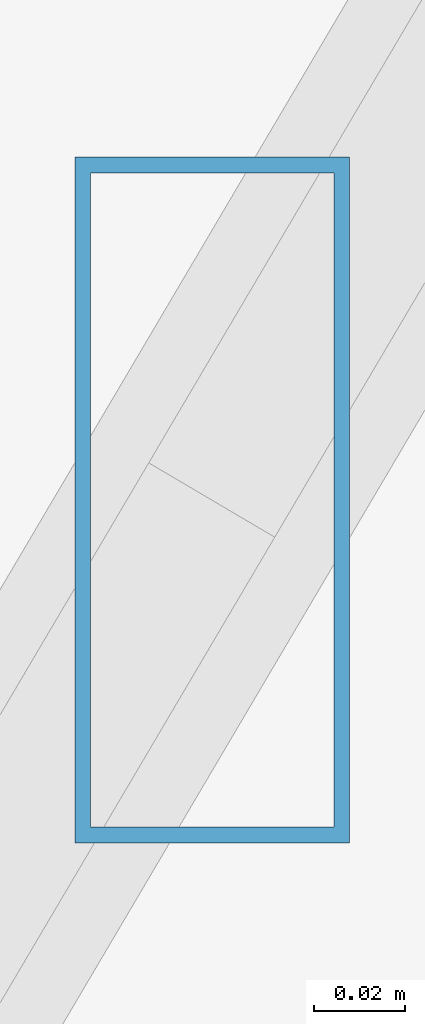
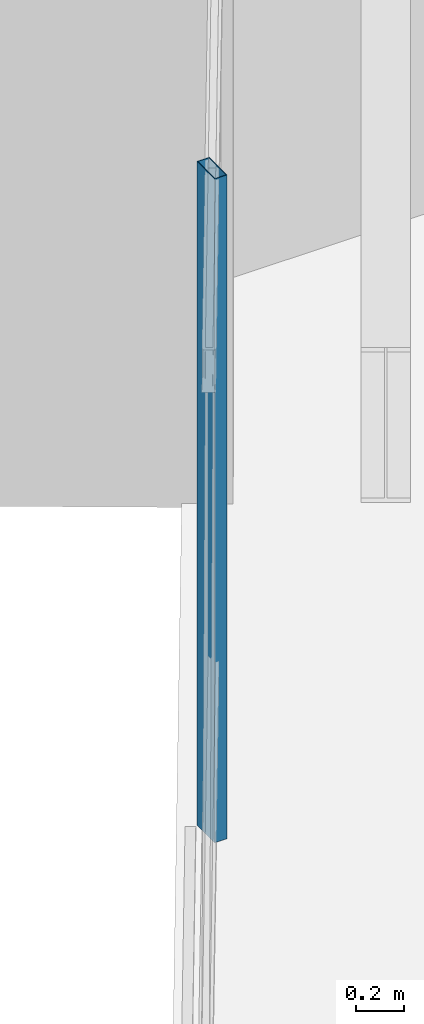
# One storey, part 28 of 41: 1 member, 1 element without a shape of its own.
"""IFC4 building model written with IfcOpenShell, lengths in metres."""

from ifc_helpers import new_model, si_unit, direction, frame, origin, origin_2d, place, context, subcontext, project, spatial, hollow_rectangle, extrude, source, transform, mapped, material, material_profile, profile_set, type_object, type_shapes, element, aggregate, save


model = new_model("IFC4")

# Units and contexts
model_context = context("Model", 3, precision=1e-05, world=origin(), true_north=direction((0.0, 1.0)))
body_context = subcontext(model_context, "Body", "Model", "MODEL_VIEW")
ifc_project = project(units=[si_unit("LENGTHUNIT", "METRE"), si_unit("AREAUNIT", "SQUARE_METRE"), si_unit("VOLUMEUNIT", "CUBIC_METRE"), si_unit("PLANEANGLEUNIT", "RADIAN"), si_unit("MASSUNIT", "GRAM", prefix="KILO")], contexts=[model_context])

# Site, building, storey
site_placement = place(None, origin())
site = spatial("IfcSite", under=ifc_project, at=site_placement, CompositionType="ELEMENT")
building_placement = place(site_placement, origin())
building = spatial("IfcBuilding", under=site, at=building_placement, Name="Caelisora Broadcast Tower", CompositionType="ELEMENT")
storey_placement = place(building_placement, frame((0.0, 0.0, 169.449951171875)))
storey = spatial("IfcBuildingStorey", under=building, at=storey_placement, Name="L44", CompositionType="ELEMENT", Elevation=169.449951171875)

# Curtain wall, member
ifc_material_1 = material(Name="Unitised Aluminium and Low-E Glass Curtain Wall", Category="glass")
curtain_wall_type = type_object("IfcCurtainWallType", Name="CW-Z3", PredefinedType="NOTDEFINED", material=ifc_material_1)
curtain_wall_placement = place(storey_placement, origin())
curtain_wall = element("IfcCurtainWall", 1, at=curtain_wall_placement, inside=storey, type_object=curtain_wall_type, Name="L44 curtain wall CW-Z3", PredefinedType="NOTDEFINED")
ifc_material_2 = material(Name="Aluminium 6063-T6 Anodised Terracotta Bronze", Category="aluminium")
ifc_material_profile = material_profile(ifc_material_2, hollow_rectangle(XDim=0.06005859375, YDim=0.14990234375, WallThickness=0.00341796875, at=origin_2d()), Name="Aluminium 6063-T6 Anodised Terracotta Bronze")
ifc_profile_set = profile_set([ifc_material_profile], Name="Aluminium 6063-T6 Anodised Terracotta Bronze")
member_type = type_object("IfcMemberType", Name="CWM-03", PredefinedType="MULLION", material=ifc_profile_set)
shared_shape = source(origin(), body_context, "Body", "SweptSolid", [
    extrude(hollow_rectangle(XDim=0.06005859375, YDim=0.14990234375, WallThickness=0.00341796875, at=origin_2d()), origin(), (0.0, 0.0, 1.0), 3.400146484375),
])
type_shapes(member_type, [shared_shape])
member_placement = place(storey_placement, frame((28.926025390625, 42.377197265625, 0.0), z_axis=(0.0, 0.0, 1.0), x_axis=(1.0, 0.0, 0.0)))
member = element("IfcMember", 2, at=member_placement, type_object=member_type, Name="L44-CW-B11 mullion #1", PredefinedType="MULLION", context=body_context, shape_type="MappedRepresentation", body=[
    mapped(shared_shape, transform((0.0, 0.0, 0.0), scale=1.0)),
])
aggregate(curtain_wall, [member])

save(model, "model.ifc")
